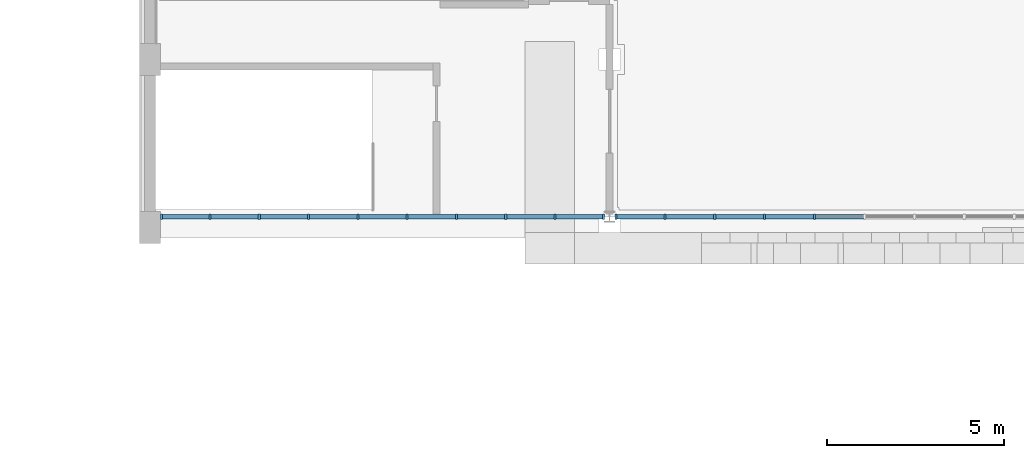
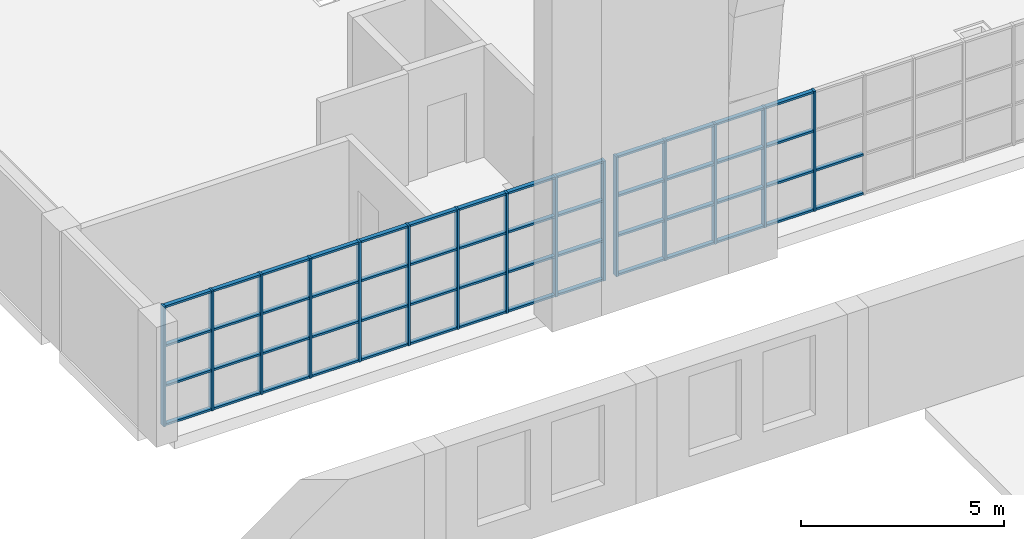
# One storey, part 12 of 82: 69 members, 2 elements without a shape of their own.
"""IFC4 building model written with IfcOpenShell, lengths in metres."""

from ifc_helpers import new_model, si_unit, direction, frame, origin, origin_2d, place, context, subcontext, project, spatial, rectangle, extrude, material, material_profile, profile_set, type_object, element, aggregate, save


model = new_model("IFC4")

# Units and contexts
model_context = context("Model", 3, precision=1e-05, world=origin(), true_north=direction((0.0, 1.0)))
body_context = subcontext(model_context, "Body", "Model", "MODEL_VIEW")
ifc_project = project(units=[si_unit("LENGTHUNIT", "METRE"), si_unit("AREAUNIT", "SQUARE_METRE"), si_unit("VOLUMEUNIT", "CUBIC_METRE"), si_unit("PLANEANGLEUNIT", "RADIAN"), si_unit("MASSUNIT", "GRAM", prefix="KILO")], contexts=[model_context])

# Site, building, storey
site_placement = place(None, origin())
site = spatial("IfcSite", under=ifc_project, at=site_placement, CompositionType="ELEMENT")
building_placement = place(site_placement, origin())
building = spatial("IfcBuilding", under=site, at=building_placement, Name="Elbe Cascade School", CompositionType="ELEMENT")
storey_placement = place(building_placement, frame((0.0, 0.0, 4.5)))
storey = spatial("IfcBuildingStorey", under=building, at=storey_placement, Name="L01", CompositionType="ELEMENT", Elevation=4.5)

# Curtain wall, members
ifc_material_1 = material(Name="Glass - double glazed low-E", Category="glass")
curtain_wall_type = type_object("IfcCurtainWallType", Name="Hall gable curtain wall", PredefinedType="NOTDEFINED", material=ifc_material_1)
curtain_wall_1_placement = place(storey_placement, origin())
curtain_wall_1 = element("IfcCurtainWall", 1, at=curtain_wall_1_placement, inside=storey, type_object=curtain_wall_type, Name="Gable curtain wall S1", PredefinedType="NOTDEFINED")
ifc_material_2 = material(Name="Aluminium - bronze anodised", Category="aluminium")
ifc_material_profile_1 = material_profile(ifc_material_2, rectangle(XDim=0.159912109375, YDim=0.06005859375, at=origin_2d()), Name="Alu 60x160")
ifc_profile_set_1 = profile_set([ifc_material_profile_1], Name="Aluminium - bronze anodised")
member_type_1 = type_object("IfcMemberType", Name="Hall gable mullion 60x160", PredefinedType="MULLION", material=ifc_profile_set_1)
member_1_placement = place(storey_placement, frame((8.330078125, 41.300048828125, 0.0), z_axis=(0.0, 0.0, 1.0), x_axis=(0.0, 1.0, 0.0)))
member_1 = element("IfcMember", 2, at=member_1_placement, type_object=member_type_1, Name="CW6 mullion 1", PredefinedType="MULLION", context=body_context, shape_type="SweptSolid", body=[
    extrude(rectangle(XDim=0.159912109375, YDim=0.06005859375, at=origin_2d()), origin(), (0.0, 0.0, 1.0), 3.60009765625),
])
member_2_placement = place(storey_placement, frame((9.6943359375, 41.300048828125, 0.0), z_axis=(0.0, 0.0, 1.0), x_axis=(0.0, 1.0, 0.0)))
member_2 = element("IfcMember", 3, at=member_2_placement, type_object=member_type_1, Name="CW6 mullion 2", PredefinedType="MULLION", context=body_context, shape_type="SweptSolid", body=[
    extrude(rectangle(XDim=0.159912109375, YDim=0.06005859375, at=origin_2d()), origin(), (0.0, 0.0, 1.0), 3.60009765625),
])
member_3_placement = place(storey_placement, frame((11.0888671875, 41.300048828125, 0.0), z_axis=(0.0, 0.0, 1.0), x_axis=(0.0, 1.0, 0.0)))
member_3 = element("IfcMember", 4, at=member_3_placement, type_object=member_type_1, Name="CW6 mullion 3", PredefinedType="MULLION", context=body_context, shape_type="SweptSolid", body=[
    extrude(rectangle(XDim=0.159912109375, YDim=0.06005859375, at=origin_2d()), origin(), (0.0, 0.0, 1.0), 3.60009765625),
])
member_4_placement = place(storey_placement, frame((12.4833984375, 41.300048828125, 0.0), z_axis=(0.0, 0.0, 1.0), x_axis=(0.0, 1.0, 0.0)))
member_4 = element("IfcMember", 5, at=member_4_placement, type_object=member_type_1, Name="CW6 mullion 4", PredefinedType="MULLION", context=body_context, shape_type="SweptSolid", body=[
    extrude(rectangle(XDim=0.159912109375, YDim=0.06005859375, at=origin_2d()), origin(), (0.0, 0.0, 1.0), 3.60009765625),
])
member_5_placement = place(storey_placement, frame((13.877685546875, 41.300048828125, 0.0), z_axis=(0.0, 0.0, 1.0), x_axis=(0.0, 1.0, 0.0)))
member_5 = element("IfcMember", 6, at=member_5_placement, type_object=member_type_1, Name="CW6 mullion 5", PredefinedType="MULLION", context=body_context, shape_type="SweptSolid", body=[
    extrude(rectangle(XDim=0.159912109375, YDim=0.06005859375, at=origin_2d()), origin(), (0.0, 0.0, 1.0), 3.60009765625),
])
member_6_placement = place(storey_placement, frame((15.272216796875, 41.300048828125, 0.0), z_axis=(0.0, 0.0, 1.0), x_axis=(0.0, 1.0, 0.0)))
member_6 = element("IfcMember", 7, at=member_6_placement, type_object=member_type_1, Name="CW6 mullion 6", PredefinedType="MULLION", context=body_context, shape_type="SweptSolid", body=[
    extrude(rectangle(XDim=0.159912109375, YDim=0.06005859375, at=origin_2d()), origin(), (0.0, 0.0, 1.0), 3.60009765625),
])
member_7_placement = place(storey_placement, frame((16.666748046875, 41.300048828125, 0.0), z_axis=(0.0, 0.0, 1.0), x_axis=(0.0, 1.0, 0.0)))
member_7 = element("IfcMember", 8, at=member_7_placement, type_object=member_type_1, Name="CW6 mullion 7", PredefinedType="MULLION", context=body_context, shape_type="SweptSolid", body=[
    extrude(rectangle(XDim=0.159912109375, YDim=0.06005859375, at=origin_2d()), origin(), (0.0, 0.0, 1.0), 3.60009765625),
])
member_8_placement = place(storey_placement, frame((18.06103515625, 41.300048828125, 0.0), z_axis=(0.0, 0.0, 1.0), x_axis=(0.0, 1.0, 0.0)))
member_8 = element("IfcMember", 9, at=member_8_placement, type_object=member_type_1, Name="CW6 mullion 8", PredefinedType="MULLION", context=body_context, shape_type="SweptSolid", body=[
    extrude(rectangle(XDim=0.159912109375, YDim=0.06005859375, at=origin_2d()), origin(), (0.0, 0.0, 1.0), 3.60009765625),
])
member_9_placement = place(storey_placement, frame((19.45556640625, 41.300048828125, 0.0), z_axis=(0.0, 0.0, 1.0), x_axis=(0.0, 1.0, 0.0)))
member_9 = element("IfcMember", 10, at=member_9_placement, type_object=member_type_1, Name="CW6 mullion 9", PredefinedType="MULLION", context=body_context, shape_type="SweptSolid", body=[
    extrude(rectangle(XDim=0.159912109375, YDim=0.06005859375, at=origin_2d()), origin(), (0.0, 0.0, 1.0), 3.60009765625),
])
member_10_placement = place(storey_placement, frame((20.820068359375, 41.300048828125, 0.0), z_axis=(0.0, 0.0, 1.0), x_axis=(0.0, 1.0, 0.0)))
member_10 = element("IfcMember", 11, at=member_10_placement, type_object=member_type_1, Name="CW6 mullion 10", PredefinedType="MULLION", context=body_context, shape_type="SweptSolid", body=[
    extrude(rectangle(XDim=0.159912109375, YDim=0.06005859375, at=origin_2d()), origin(), (0.0, 0.0, 1.0), 3.60009765625),
])

curtain_wall_2_placement = place(storey_placement, origin())
curtain_wall_2 = element("IfcCurtainWall", 12, at=curtain_wall_2_placement, inside=storey, type_object=curtain_wall_type, Name="Gable curtain wall S2", PredefinedType="NOTDEFINED")
member_11_placement = place(storey_placement, frame((21.179931640625, 41.300048828125, 0.0), z_axis=(0.0, 0.0, 1.0), x_axis=(0.0, 1.0, 0.0)))
member_11 = element("IfcMember", 13, at=member_11_placement, type_object=member_type_1, Name="CW6 mullion 1", PredefinedType="MULLION", context=body_context, shape_type="SweptSolid", body=[
    extrude(rectangle(XDim=0.159912109375, YDim=0.06005859375, at=origin_2d()), origin(), (0.0, 0.0, 1.0), 3.60009765625),
])
member_12_placement = place(storey_placement, frame((22.56103515625, 41.300048828125, 0.0), z_axis=(0.0, 0.0, 1.0), x_axis=(0.0, 1.0, 0.0)))
member_12 = element("IfcMember", 14, at=member_12_placement, type_object=member_type_1, Name="CW6 mullion 2", PredefinedType="MULLION", context=body_context, shape_type="SweptSolid", body=[
    extrude(rectangle(XDim=0.159912109375, YDim=0.06005859375, at=origin_2d()), origin(), (0.0, 0.0, 1.0), 3.60009765625),
])
member_13_placement = place(storey_placement, frame((23.97216796875, 41.300048828125, 0.0), z_axis=(0.0, 0.0, 1.0), x_axis=(0.0, 1.0, 0.0)))
member_13 = element("IfcMember", 15, at=member_13_placement, type_object=member_type_1, Name="CW6 mullion 3", PredefinedType="MULLION", context=body_context, shape_type="SweptSolid", body=[
    extrude(rectangle(XDim=0.159912109375, YDim=0.06005859375, at=origin_2d()), origin(), (0.0, 0.0, 1.0), 3.60009765625),
])
member_14_placement = place(storey_placement, frame((25.38330078125, 41.300048828125, 0.0), z_axis=(0.0, 0.0, 1.0), x_axis=(0.0, 1.0, 0.0)))
member_14 = element("IfcMember", 16, at=member_14_placement, type_object=member_type_1, Name="CW6 mullion 4", PredefinedType="MULLION", context=body_context, shape_type="SweptSolid", body=[
    extrude(rectangle(XDim=0.159912109375, YDim=0.06005859375, at=origin_2d()), origin(), (0.0, 0.0, 1.0), 3.60009765625),
])
member_15_placement = place(storey_placement, frame((26.79443359375, 41.300048828125, 0.0), z_axis=(0.0, 0.0, 1.0), x_axis=(0.0, 1.0, 0.0)))
member_15 = element("IfcMember", 17, at=member_15_placement, type_object=member_type_1, Name="CW6 mullion 5", PredefinedType="MULLION", context=body_context, shape_type="SweptSolid", body=[
    extrude(rectangle(XDim=0.159912109375, YDim=0.06005859375, at=origin_2d()), origin(), (0.0, 0.0, 1.0), 3.60009765625),
])

# Member
ifc_material_3 = material(Name="Aluminium - bronze anodised", Category="aluminium")
ifc_material_profile_2 = material_profile(ifc_material_3, rectangle(XDim=0.1201171875, YDim=0.06005859375, at=origin_2d()), Name="Alu 60x120")
ifc_profile_set_2 = profile_set([ifc_material_profile_2], Name="Aluminium - bronze anodised")
member_type_2 = type_object("IfcMemberType", Name="Hall gable transom 60x120", PredefinedType="USERDEFINED", material=ifc_profile_set_2)
member_16_placement = place(storey_placement, frame((8.360107421875, 41.300048828125, 0.030029296875), z_axis=(1.0, 0.0, 0.0), x_axis=(0.0, 1.0, 0.0)))
member_16 = element("IfcMember", 18, at=member_16_placement, type_object=member_type_2, Name="CW6 transom 1.1", ObjectType="TRANSOM", PredefinedType="USERDEFINED", context=body_context, shape_type="SweptSolid", body=[
    extrude(rectangle(XDim=0.1201171875, YDim=0.06005859375, at=origin_2d()), origin(), (0.0, 0.0, 1.0), 1.304443359375),
])

member_17_placement = place(storey_placement, frame((8.360107421875, 41.300048828125, 1.199951171875), z_axis=(1.0, 0.0, 0.0), x_axis=(0.0, 1.0, 0.0)))
member_17 = element("IfcMember", 19, at=member_17_placement, type_object=member_type_2, Name="CW6 transom 1.2", ObjectType="TRANSOM", PredefinedType="USERDEFINED", context=body_context, shape_type="SweptSolid", body=[
    extrude(rectangle(XDim=0.1201171875, YDim=0.06005859375, at=origin_2d()), origin(), (0.0, 0.0, 1.0), 1.304443359375),
])

member_18_placement = place(storey_placement, frame((8.360107421875, 41.300048828125, 2.39990234375), z_axis=(1.0, 0.0, 0.0), x_axis=(0.0, 1.0, 0.0)))
member_18 = element("IfcMember", 20, at=member_18_placement, type_object=member_type_2, Name="CW6 transom 1.3", ObjectType="TRANSOM", PredefinedType="USERDEFINED", context=body_context, shape_type="SweptSolid", body=[
    extrude(rectangle(XDim=0.1201171875, YDim=0.06005859375, at=origin_2d()), origin(), (0.0, 0.0, 1.0), 1.304443359375),
])

member_19_placement = place(storey_placement, frame((8.360107421875, 41.300048828125, 3.570068359375), z_axis=(1.0, 0.0, 0.0), x_axis=(0.0, 1.0, 0.0)))
member_19 = element("IfcMember", 21, at=member_19_placement, type_object=member_type_2, Name="CW6 transom 1.4", ObjectType="TRANSOM", PredefinedType="USERDEFINED", context=body_context, shape_type="SweptSolid", body=[
    extrude(rectangle(XDim=0.1201171875, YDim=0.06005859375, at=origin_2d()), origin(), (0.0, 0.0, 1.0), 1.304443359375),
])

member_20_placement = place(storey_placement, frame((9.724365234375, 41.300048828125, 0.030029296875), z_axis=(1.0, 0.0, 0.0), x_axis=(0.0, 1.0, 0.0)))
member_20 = element("IfcMember", 22, at=member_20_placement, type_object=member_type_2, Name="CW6 transom 2.1", ObjectType="TRANSOM", PredefinedType="USERDEFINED", context=body_context, shape_type="SweptSolid", body=[
    extrude(rectangle(XDim=0.1201171875, YDim=0.06005859375, at=origin_2d()), origin(), (0.0, 0.0, 1.0), 1.33447265625),
])

member_21_placement = place(storey_placement, frame((9.724365234375, 41.300048828125, 1.199951171875), z_axis=(1.0, 0.0, 0.0), x_axis=(0.0, 1.0, 0.0)))
member_21 = element("IfcMember", 23, at=member_21_placement, type_object=member_type_2, Name="CW6 transom 2.2", ObjectType="TRANSOM", PredefinedType="USERDEFINED", context=body_context, shape_type="SweptSolid", body=[
    extrude(rectangle(XDim=0.1201171875, YDim=0.06005859375, at=origin_2d()), origin(), (0.0, 0.0, 1.0), 1.33447265625),
])

member_22_placement = place(storey_placement, frame((9.724365234375, 41.300048828125, 2.39990234375), z_axis=(1.0, 0.0, 0.0), x_axis=(0.0, 1.0, 0.0)))
member_22 = element("IfcMember", 24, at=member_22_placement, type_object=member_type_2, Name="CW6 transom 2.3", ObjectType="TRANSOM", PredefinedType="USERDEFINED", context=body_context, shape_type="SweptSolid", body=[
    extrude(rectangle(XDim=0.1201171875, YDim=0.06005859375, at=origin_2d()), origin(), (0.0, 0.0, 1.0), 1.33447265625),
])

member_23_placement = place(storey_placement, frame((9.724365234375, 41.300048828125, 3.570068359375), z_axis=(1.0, 0.0, 0.0), x_axis=(0.0, 1.0, 0.0)))
member_23 = element("IfcMember", 25, at=member_23_placement, type_object=member_type_2, Name="CW6 transom 2.4", ObjectType="TRANSOM", PredefinedType="USERDEFINED", context=body_context, shape_type="SweptSolid", body=[
    extrude(rectangle(XDim=0.1201171875, YDim=0.06005859375, at=origin_2d()), origin(), (0.0, 0.0, 1.0), 1.33447265625),
])

member_24_placement = place(storey_placement, frame((11.118896484375, 41.300048828125, 0.030029296875), z_axis=(1.0, 0.0, 0.0), x_axis=(0.0, 1.0, 0.0)))
member_24 = element("IfcMember", 26, at=member_24_placement, type_object=member_type_2, Name="CW6 transom 3.1", ObjectType="TRANSOM", PredefinedType="USERDEFINED", context=body_context, shape_type="SweptSolid", body=[
    extrude(rectangle(XDim=0.1201171875, YDim=0.06005859375, at=origin_2d()), origin(), (0.0, 0.0, 1.0), 1.33447265625),
])

member_25_placement = place(storey_placement, frame((11.118896484375, 41.300048828125, 1.199951171875), z_axis=(1.0, 0.0, 0.0), x_axis=(0.0, 1.0, 0.0)))
member_25 = element("IfcMember", 27, at=member_25_placement, type_object=member_type_2, Name="CW6 transom 3.2", ObjectType="TRANSOM", PredefinedType="USERDEFINED", context=body_context, shape_type="SweptSolid", body=[
    extrude(rectangle(XDim=0.1201171875, YDim=0.06005859375, at=origin_2d()), origin(), (0.0, 0.0, 1.0), 1.33447265625),
])

member_26_placement = place(storey_placement, frame((11.118896484375, 41.300048828125, 2.39990234375), z_axis=(1.0, 0.0, 0.0), x_axis=(0.0, 1.0, 0.0)))
member_26 = element("IfcMember", 28, at=member_26_placement, type_object=member_type_2, Name="CW6 transom 3.3", ObjectType="TRANSOM", PredefinedType="USERDEFINED", context=body_context, shape_type="SweptSolid", body=[
    extrude(rectangle(XDim=0.1201171875, YDim=0.06005859375, at=origin_2d()), origin(), (0.0, 0.0, 1.0), 1.33447265625),
])

member_27_placement = place(storey_placement, frame((11.118896484375, 41.300048828125, 3.570068359375), z_axis=(1.0, 0.0, 0.0), x_axis=(0.0, 1.0, 0.0)))
member_27 = element("IfcMember", 29, at=member_27_placement, type_object=member_type_2, Name="CW6 transom 3.4", ObjectType="TRANSOM", PredefinedType="USERDEFINED", context=body_context, shape_type="SweptSolid", body=[
    extrude(rectangle(XDim=0.1201171875, YDim=0.06005859375, at=origin_2d()), origin(), (0.0, 0.0, 1.0), 1.33447265625),
])

member_28_placement = place(storey_placement, frame((12.513427734375, 41.300048828125, 0.030029296875), z_axis=(1.0, 0.0, 0.0), x_axis=(0.0, 1.0, 0.0)))
member_28 = element("IfcMember", 30, at=member_28_placement, type_object=member_type_2, Name="CW6 transom 4.1", ObjectType="TRANSOM", PredefinedType="USERDEFINED", context=body_context, shape_type="SweptSolid", body=[
    extrude(rectangle(XDim=0.1201171875, YDim=0.06005859375, at=origin_2d()), origin(), (0.0, 0.0, 1.0), 1.334228515625),
])

member_29_placement = place(storey_placement, frame((12.513427734375, 41.300048828125, 1.199951171875), z_axis=(1.0, 0.0, 0.0), x_axis=(0.0, 1.0, 0.0)))
member_29 = element("IfcMember", 31, at=member_29_placement, type_object=member_type_2, Name="CW6 transom 4.2", ObjectType="TRANSOM", PredefinedType="USERDEFINED", context=body_context, shape_type="SweptSolid", body=[
    extrude(rectangle(XDim=0.1201171875, YDim=0.06005859375, at=origin_2d()), origin(), (0.0, 0.0, 1.0), 1.334228515625),
])

member_30_placement = place(storey_placement, frame((12.513427734375, 41.300048828125, 2.39990234375), z_axis=(1.0, 0.0, 0.0), x_axis=(0.0, 1.0, 0.0)))
member_30 = element("IfcMember", 32, at=member_30_placement, type_object=member_type_2, Name="CW6 transom 4.3", ObjectType="TRANSOM", PredefinedType="USERDEFINED", context=body_context, shape_type="SweptSolid", body=[
    extrude(rectangle(XDim=0.1201171875, YDim=0.06005859375, at=origin_2d()), origin(), (0.0, 0.0, 1.0), 1.334228515625),
])

member_31_placement = place(storey_placement, frame((12.513427734375, 41.300048828125, 3.570068359375), z_axis=(1.0, 0.0, 0.0), x_axis=(0.0, 1.0, 0.0)))
member_31 = element("IfcMember", 33, at=member_31_placement, type_object=member_type_2, Name="CW6 transom 4.4", ObjectType="TRANSOM", PredefinedType="USERDEFINED", context=body_context, shape_type="SweptSolid", body=[
    extrude(rectangle(XDim=0.1201171875, YDim=0.06005859375, at=origin_2d()), origin(), (0.0, 0.0, 1.0), 1.334228515625),
])

member_32_placement = place(storey_placement, frame((13.90771484375, 41.300048828125, 0.030029296875), z_axis=(1.0, 0.0, 0.0), x_axis=(0.0, 1.0, 0.0)))
member_32 = element("IfcMember", 34, at=member_32_placement, type_object=member_type_2, Name="CW6 transom 5.1", ObjectType="TRANSOM", PredefinedType="USERDEFINED", context=body_context, shape_type="SweptSolid", body=[
    extrude(rectangle(XDim=0.1201171875, YDim=0.06005859375, at=origin_2d()), origin(), (0.0, 0.0, 1.0), 1.33447265625),
])

member_33_placement = place(storey_placement, frame((13.90771484375, 41.300048828125, 1.199951171875), z_axis=(1.0, 0.0, 0.0), x_axis=(0.0, 1.0, 0.0)))
member_33 = element("IfcMember", 35, at=member_33_placement, type_object=member_type_2, Name="CW6 transom 5.2", ObjectType="TRANSOM", PredefinedType="USERDEFINED", context=body_context, shape_type="SweptSolid", body=[
    extrude(rectangle(XDim=0.1201171875, YDim=0.06005859375, at=origin_2d()), origin(), (0.0, 0.0, 1.0), 1.33447265625),
])

member_34_placement = place(storey_placement, frame((13.90771484375, 41.300048828125, 2.39990234375), z_axis=(1.0, 0.0, 0.0), x_axis=(0.0, 1.0, 0.0)))
member_34 = element("IfcMember", 36, at=member_34_placement, type_object=member_type_2, Name="CW6 transom 5.3", ObjectType="TRANSOM", PredefinedType="USERDEFINED", context=body_context, shape_type="SweptSolid", body=[
    extrude(rectangle(XDim=0.1201171875, YDim=0.06005859375, at=origin_2d()), origin(), (0.0, 0.0, 1.0), 1.33447265625),
])

member_35_placement = place(storey_placement, frame((13.90771484375, 41.300048828125, 3.570068359375), z_axis=(1.0, 0.0, 0.0), x_axis=(0.0, 1.0, 0.0)))
member_35 = element("IfcMember", 37, at=member_35_placement, type_object=member_type_2, Name="CW6 transom 5.4", ObjectType="TRANSOM", PredefinedType="USERDEFINED", context=body_context, shape_type="SweptSolid", body=[
    extrude(rectangle(XDim=0.1201171875, YDim=0.06005859375, at=origin_2d()), origin(), (0.0, 0.0, 1.0), 1.33447265625),
])

member_36_placement = place(storey_placement, frame((15.30224609375, 41.300048828125, 0.030029296875), z_axis=(1.0, 0.0, 0.0), x_axis=(0.0, 1.0, 0.0)))
member_36 = element("IfcMember", 38, at=member_36_placement, type_object=member_type_2, Name="CW6 transom 6.1", ObjectType="TRANSOM", PredefinedType="USERDEFINED", context=body_context, shape_type="SweptSolid", body=[
    extrude(rectangle(XDim=0.1201171875, YDim=0.06005859375, at=origin_2d()), origin(), (0.0, 0.0, 1.0), 1.33447265625),
])

member_37_placement = place(storey_placement, frame((15.30224609375, 41.300048828125, 1.199951171875), z_axis=(1.0, 0.0, 0.0), x_axis=(0.0, 1.0, 0.0)))
member_37 = element("IfcMember", 39, at=member_37_placement, type_object=member_type_2, Name="CW6 transom 6.2", ObjectType="TRANSOM", PredefinedType="USERDEFINED", context=body_context, shape_type="SweptSolid", body=[
    extrude(rectangle(XDim=0.1201171875, YDim=0.06005859375, at=origin_2d()), origin(), (0.0, 0.0, 1.0), 1.33447265625),
])

member_38_placement = place(storey_placement, frame((15.30224609375, 41.300048828125, 2.39990234375), z_axis=(1.0, 0.0, 0.0), x_axis=(0.0, 1.0, 0.0)))
member_38 = element("IfcMember", 40, at=member_38_placement, type_object=member_type_2, Name="CW6 transom 6.3", ObjectType="TRANSOM", PredefinedType="USERDEFINED", context=body_context, shape_type="SweptSolid", body=[
    extrude(rectangle(XDim=0.1201171875, YDim=0.06005859375, at=origin_2d()), origin(), (0.0, 0.0, 1.0), 1.33447265625),
])

member_39_placement = place(storey_placement, frame((15.30224609375, 41.300048828125, 3.570068359375), z_axis=(1.0, 0.0, 0.0), x_axis=(0.0, 1.0, 0.0)))
member_39 = element("IfcMember", 41, at=member_39_placement, type_object=member_type_2, Name="CW6 transom 6.4", ObjectType="TRANSOM", PredefinedType="USERDEFINED", context=body_context, shape_type="SweptSolid", body=[
    extrude(rectangle(XDim=0.1201171875, YDim=0.06005859375, at=origin_2d()), origin(), (0.0, 0.0, 1.0), 1.33447265625),
])

member_40_placement = place(storey_placement, frame((16.69677734375, 41.300048828125, 0.030029296875), z_axis=(1.0, 0.0, 0.0), x_axis=(0.0, 1.0, 0.0)))
member_40 = element("IfcMember", 42, at=member_40_placement, type_object=member_type_2, Name="CW6 transom 7.1", ObjectType="TRANSOM", PredefinedType="USERDEFINED", context=body_context, shape_type="SweptSolid", body=[
    extrude(rectangle(XDim=0.1201171875, YDim=0.06005859375, at=origin_2d()), origin(), (0.0, 0.0, 1.0), 1.334228515625),
])

member_41_placement = place(storey_placement, frame((16.69677734375, 41.300048828125, 1.199951171875), z_axis=(1.0, 0.0, 0.0), x_axis=(0.0, 1.0, 0.0)))
member_41 = element("IfcMember", 43, at=member_41_placement, type_object=member_type_2, Name="CW6 transom 7.2", ObjectType="TRANSOM", PredefinedType="USERDEFINED", context=body_context, shape_type="SweptSolid", body=[
    extrude(rectangle(XDim=0.1201171875, YDim=0.06005859375, at=origin_2d()), origin(), (0.0, 0.0, 1.0), 1.334228515625),
])

member_42_placement = place(storey_placement, frame((16.69677734375, 41.300048828125, 2.39990234375), z_axis=(1.0, 0.0, 0.0), x_axis=(0.0, 1.0, 0.0)))
member_42 = element("IfcMember", 44, at=member_42_placement, type_object=member_type_2, Name="CW6 transom 7.3", ObjectType="TRANSOM", PredefinedType="USERDEFINED", context=body_context, shape_type="SweptSolid", body=[
    extrude(rectangle(XDim=0.1201171875, YDim=0.06005859375, at=origin_2d()), origin(), (0.0, 0.0, 1.0), 1.334228515625),
])

member_43_placement = place(storey_placement, frame((16.69677734375, 41.300048828125, 3.570068359375), z_axis=(1.0, 0.0, 0.0), x_axis=(0.0, 1.0, 0.0)))
member_43 = element("IfcMember", 45, at=member_43_placement, type_object=member_type_2, Name="CW6 transom 7.4", ObjectType="TRANSOM", PredefinedType="USERDEFINED", context=body_context, shape_type="SweptSolid", body=[
    extrude(rectangle(XDim=0.1201171875, YDim=0.06005859375, at=origin_2d()), origin(), (0.0, 0.0, 1.0), 1.334228515625),
])

member_44_placement = place(storey_placement, frame((18.091064453125, 41.300048828125, 0.030029296875), z_axis=(1.0, 0.0, 0.0), x_axis=(0.0, 1.0, 0.0)))
member_44 = element("IfcMember", 46, at=member_44_placement, type_object=member_type_2, Name="CW6 transom 8.1", ObjectType="TRANSOM", PredefinedType="USERDEFINED", context=body_context, shape_type="SweptSolid", body=[
    extrude(rectangle(XDim=0.1201171875, YDim=0.06005859375, at=origin_2d()), origin(), (0.0, 0.0, 1.0), 1.33447265625),
])

member_45_placement = place(storey_placement, frame((18.091064453125, 41.300048828125, 1.199951171875), z_axis=(1.0, 0.0, 0.0), x_axis=(0.0, 1.0, 0.0)))
member_45 = element("IfcMember", 47, at=member_45_placement, type_object=member_type_2, Name="CW6 transom 8.2", ObjectType="TRANSOM", PredefinedType="USERDEFINED", context=body_context, shape_type="SweptSolid", body=[
    extrude(rectangle(XDim=0.1201171875, YDim=0.06005859375, at=origin_2d()), origin(), (0.0, 0.0, 1.0), 1.33447265625),
])

member_46_placement = place(storey_placement, frame((18.091064453125, 41.300048828125, 2.39990234375), z_axis=(1.0, 0.0, 0.0), x_axis=(0.0, 1.0, 0.0)))
member_46 = element("IfcMember", 48, at=member_46_placement, type_object=member_type_2, Name="CW6 transom 8.3", ObjectType="TRANSOM", PredefinedType="USERDEFINED", context=body_context, shape_type="SweptSolid", body=[
    extrude(rectangle(XDim=0.1201171875, YDim=0.06005859375, at=origin_2d()), origin(), (0.0, 0.0, 1.0), 1.33447265625),
])

member_47_placement = place(storey_placement, frame((18.091064453125, 41.300048828125, 3.570068359375), z_axis=(1.0, 0.0, 0.0), x_axis=(0.0, 1.0, 0.0)))
member_47 = element("IfcMember", 49, at=member_47_placement, type_object=member_type_2, Name="CW6 transom 8.4", ObjectType="TRANSOM", PredefinedType="USERDEFINED", context=body_context, shape_type="SweptSolid", body=[
    extrude(rectangle(XDim=0.1201171875, YDim=0.06005859375, at=origin_2d()), origin(), (0.0, 0.0, 1.0), 1.33447265625),
])

member_48_placement = place(storey_placement, frame((19.485595703125, 41.300048828125, 0.030029296875), z_axis=(1.0, 0.0, 0.0), x_axis=(0.0, 1.0, 0.0)))
member_48 = element("IfcMember", 50, at=member_48_placement, type_object=member_type_2, Name="CW6 transom 9.1", ObjectType="TRANSOM", PredefinedType="USERDEFINED", context=body_context, shape_type="SweptSolid", body=[
    extrude(rectangle(XDim=0.1201171875, YDim=0.06005859375, at=origin_2d()), origin(), (0.0, 0.0, 1.0), 1.304443359375),
])

member_49_placement = place(storey_placement, frame((19.485595703125, 41.300048828125, 1.199951171875), z_axis=(1.0, 0.0, 0.0), x_axis=(0.0, 1.0, 0.0)))
member_49 = element("IfcMember", 51, at=member_49_placement, type_object=member_type_2, Name="CW6 transom 9.2", ObjectType="TRANSOM", PredefinedType="USERDEFINED", context=body_context, shape_type="SweptSolid", body=[
    extrude(rectangle(XDim=0.1201171875, YDim=0.06005859375, at=origin_2d()), origin(), (0.0, 0.0, 1.0), 1.304443359375),
])

member_50_placement = place(storey_placement, frame((19.485595703125, 41.300048828125, 2.39990234375), z_axis=(1.0, 0.0, 0.0), x_axis=(0.0, 1.0, 0.0)))
member_50 = element("IfcMember", 52, at=member_50_placement, type_object=member_type_2, Name="CW6 transom 9.3", ObjectType="TRANSOM", PredefinedType="USERDEFINED", context=body_context, shape_type="SweptSolid", body=[
    extrude(rectangle(XDim=0.1201171875, YDim=0.06005859375, at=origin_2d()), origin(), (0.0, 0.0, 1.0), 1.304443359375),
])

member_51_placement = place(storey_placement, frame((19.485595703125, 41.300048828125, 3.570068359375), z_axis=(1.0, 0.0, 0.0), x_axis=(0.0, 1.0, 0.0)))
member_51 = element("IfcMember", 53, at=member_51_placement, type_object=member_type_2, Name="CW6 transom 9.4", ObjectType="TRANSOM", PredefinedType="USERDEFINED", context=body_context, shape_type="SweptSolid", body=[
    extrude(rectangle(XDim=0.1201171875, YDim=0.06005859375, at=origin_2d()), origin(), (0.0, 0.0, 1.0), 1.304443359375),
])

aggregate(curtain_wall_1, [member_1, member_2, member_3, member_4, member_5, member_6, member_7, member_8, member_9, member_10, member_16, member_17, member_18, member_19, member_20, member_21, member_22, member_23, member_24, member_25, member_26, member_27, member_28, member_29, member_30, member_31, member_32, member_33, member_34, member_35, member_36, member_37, member_38, member_39, member_40, member_41, member_42, member_43, member_44, member_45, member_46, member_47, member_48, member_49, member_50, member_51])

member_52_placement = place(storey_placement, frame((21.2099609375, 41.300048828125, 0.030029296875), z_axis=(1.0, 0.0, 0.0), x_axis=(0.0, 1.0, 0.0)))
member_52 = element("IfcMember", 54, at=member_52_placement, type_object=member_type_2, Name="CW6 transom 1.1", ObjectType="TRANSOM", PredefinedType="USERDEFINED", context=body_context, shape_type="SweptSolid", body=[
    extrude(rectangle(XDim=0.1201171875, YDim=0.06005859375, at=origin_2d()), origin(), (0.0, 0.0, 1.0), 1.321044921875),
])

member_53_placement = place(storey_placement, frame((21.2099609375, 41.300048828125, 1.199951171875), z_axis=(1.0, 0.0, 0.0), x_axis=(0.0, 1.0, 0.0)))
member_53 = element("IfcMember", 55, at=member_53_placement, type_object=member_type_2, Name="CW6 transom 1.2", ObjectType="TRANSOM", PredefinedType="USERDEFINED", context=body_context, shape_type="SweptSolid", body=[
    extrude(rectangle(XDim=0.1201171875, YDim=0.06005859375, at=origin_2d()), origin(), (0.0, 0.0, 1.0), 1.321044921875),
])

member_54_placement = place(storey_placement, frame((21.2099609375, 41.300048828125, 2.39990234375), z_axis=(1.0, 0.0, 0.0), x_axis=(0.0, 1.0, 0.0)))
member_54 = element("IfcMember", 56, at=member_54_placement, type_object=member_type_2, Name="CW6 transom 1.3", ObjectType="TRANSOM", PredefinedType="USERDEFINED", context=body_context, shape_type="SweptSolid", body=[
    extrude(rectangle(XDim=0.1201171875, YDim=0.06005859375, at=origin_2d()), origin(), (0.0, 0.0, 1.0), 1.321044921875),
])

member_55_placement = place(storey_placement, frame((21.2099609375, 41.300048828125, 3.570068359375), z_axis=(1.0, 0.0, 0.0), x_axis=(0.0, 1.0, 0.0)))
member_55 = element("IfcMember", 57, at=member_55_placement, type_object=member_type_2, Name="CW6 transom 1.4", ObjectType="TRANSOM", PredefinedType="USERDEFINED", context=body_context, shape_type="SweptSolid", body=[
    extrude(rectangle(XDim=0.1201171875, YDim=0.06005859375, at=origin_2d()), origin(), (0.0, 0.0, 1.0), 1.321044921875),
])

member_56_placement = place(storey_placement, frame((22.591064453125, 41.300048828125, 0.030029296875), z_axis=(1.0, 0.0, 0.0), x_axis=(0.0, 1.0, 0.0)))
member_56 = element("IfcMember", 58, at=member_56_placement, type_object=member_type_2, Name="CW6 transom 2.1", ObjectType="TRANSOM", PredefinedType="USERDEFINED", context=body_context, shape_type="SweptSolid", body=[
    extrude(rectangle(XDim=0.1201171875, YDim=0.06005859375, at=origin_2d()), origin(), (0.0, 0.0, 1.0), 1.35107421875),
])

member_57_placement = place(storey_placement, frame((22.591064453125, 41.300048828125, 1.199951171875), z_axis=(1.0, 0.0, 0.0), x_axis=(0.0, 1.0, 0.0)))
member_57 = element("IfcMember", 59, at=member_57_placement, type_object=member_type_2, Name="CW6 transom 2.2", ObjectType="TRANSOM", PredefinedType="USERDEFINED", context=body_context, shape_type="SweptSolid", body=[
    extrude(rectangle(XDim=0.1201171875, YDim=0.06005859375, at=origin_2d()), origin(), (0.0, 0.0, 1.0), 1.35107421875),
])

member_58_placement = place(storey_placement, frame((22.591064453125, 41.300048828125, 2.39990234375), z_axis=(1.0, 0.0, 0.0), x_axis=(0.0, 1.0, 0.0)))
member_58 = element("IfcMember", 60, at=member_58_placement, type_object=member_type_2, Name="CW6 transom 2.3", ObjectType="TRANSOM", PredefinedType="USERDEFINED", context=body_context, shape_type="SweptSolid", body=[
    extrude(rectangle(XDim=0.1201171875, YDim=0.06005859375, at=origin_2d()), origin(), (0.0, 0.0, 1.0), 1.35107421875),
])

member_59_placement = place(storey_placement, frame((22.591064453125, 41.300048828125, 3.570068359375), z_axis=(1.0, 0.0, 0.0), x_axis=(0.0, 1.0, 0.0)))
member_59 = element("IfcMember", 61, at=member_59_placement, type_object=member_type_2, Name="CW6 transom 2.4", ObjectType="TRANSOM", PredefinedType="USERDEFINED", context=body_context, shape_type="SweptSolid", body=[
    extrude(rectangle(XDim=0.1201171875, YDim=0.06005859375, at=origin_2d()), origin(), (0.0, 0.0, 1.0), 1.35107421875),
])

member_60_placement = place(storey_placement, frame((24.002197265625, 41.300048828125, 0.030029296875), z_axis=(1.0, 0.0, 0.0), x_axis=(0.0, 1.0, 0.0)))
member_60 = element("IfcMember", 62, at=member_60_placement, type_object=member_type_2, Name="CW6 transom 3.1", ObjectType="TRANSOM", PredefinedType="USERDEFINED", context=body_context, shape_type="SweptSolid", body=[
    extrude(rectangle(XDim=0.1201171875, YDim=0.06005859375, at=origin_2d()), origin(), (0.0, 0.0, 1.0), 1.35107421875),
])

member_61_placement = place(storey_placement, frame((24.002197265625, 41.300048828125, 1.199951171875), z_axis=(1.0, 0.0, 0.0), x_axis=(0.0, 1.0, 0.0)))
member_61 = element("IfcMember", 63, at=member_61_placement, type_object=member_type_2, Name="CW6 transom 3.2", ObjectType="TRANSOM", PredefinedType="USERDEFINED", context=body_context, shape_type="SweptSolid", body=[
    extrude(rectangle(XDim=0.1201171875, YDim=0.06005859375, at=origin_2d()), origin(), (0.0, 0.0, 1.0), 1.35107421875),
])

member_62_placement = place(storey_placement, frame((24.002197265625, 41.300048828125, 2.39990234375), z_axis=(1.0, 0.0, 0.0), x_axis=(0.0, 1.0, 0.0)))
member_62 = element("IfcMember", 64, at=member_62_placement, type_object=member_type_2, Name="CW6 transom 3.3", ObjectType="TRANSOM", PredefinedType="USERDEFINED", context=body_context, shape_type="SweptSolid", body=[
    extrude(rectangle(XDim=0.1201171875, YDim=0.06005859375, at=origin_2d()), origin(), (0.0, 0.0, 1.0), 1.35107421875),
])

member_63_placement = place(storey_placement, frame((24.002197265625, 41.300048828125, 3.570068359375), z_axis=(1.0, 0.0, 0.0), x_axis=(0.0, 1.0, 0.0)))
member_63 = element("IfcMember", 65, at=member_63_placement, type_object=member_type_2, Name="CW6 transom 3.4", ObjectType="TRANSOM", PredefinedType="USERDEFINED", context=body_context, shape_type="SweptSolid", body=[
    extrude(rectangle(XDim=0.1201171875, YDim=0.06005859375, at=origin_2d()), origin(), (0.0, 0.0, 1.0), 1.35107421875),
])

member_64_placement = place(storey_placement, frame((25.413330078125, 41.300048828125, 0.030029296875), z_axis=(1.0, 0.0, 0.0), x_axis=(0.0, 1.0, 0.0)))
member_64 = element("IfcMember", 66, at=member_64_placement, type_object=member_type_2, Name="CW6 transom 4.1", ObjectType="TRANSOM", PredefinedType="USERDEFINED", context=body_context, shape_type="SweptSolid", body=[
    extrude(rectangle(XDim=0.1201171875, YDim=0.06005859375, at=origin_2d()), origin(), (0.0, 0.0, 1.0), 1.35107421875),
])

member_65_placement = place(storey_placement, frame((25.413330078125, 41.300048828125, 1.199951171875), z_axis=(1.0, 0.0, 0.0), x_axis=(0.0, 1.0, 0.0)))
member_65 = element("IfcMember", 67, at=member_65_placement, type_object=member_type_2, Name="CW6 transom 4.2", ObjectType="TRANSOM", PredefinedType="USERDEFINED", context=body_context, shape_type="SweptSolid", body=[
    extrude(rectangle(XDim=0.1201171875, YDim=0.06005859375, at=origin_2d()), origin(), (0.0, 0.0, 1.0), 1.35107421875),
])

member_66_placement = place(storey_placement, frame((25.413330078125, 41.300048828125, 2.39990234375), z_axis=(1.0, 0.0, 0.0), x_axis=(0.0, 1.0, 0.0)))
member_66 = element("IfcMember", 68, at=member_66_placement, type_object=member_type_2, Name="CW6 transom 4.3", ObjectType="TRANSOM", PredefinedType="USERDEFINED", context=body_context, shape_type="SweptSolid", body=[
    extrude(rectangle(XDim=0.1201171875, YDim=0.06005859375, at=origin_2d()), origin(), (0.0, 0.0, 1.0), 1.35107421875),
])

member_67_placement = place(storey_placement, frame((25.413330078125, 41.300048828125, 3.570068359375), z_axis=(1.0, 0.0, 0.0), x_axis=(0.0, 1.0, 0.0)))
member_67 = element("IfcMember", 69, at=member_67_placement, type_object=member_type_2, Name="CW6 transom 4.4", ObjectType="TRANSOM", PredefinedType="USERDEFINED", context=body_context, shape_type="SweptSolid", body=[
    extrude(rectangle(XDim=0.1201171875, YDim=0.06005859375, at=origin_2d()), origin(), (0.0, 0.0, 1.0), 1.35107421875),
])

member_68_placement = place(storey_placement, frame((26.824462890625, 41.300048828125, 0.030029296875), z_axis=(1.0, 0.0, 0.0), x_axis=(0.0, 1.0, 0.0)))
member_68 = element("IfcMember", 70, at=member_68_placement, type_object=member_type_2, Name="CW6 transom 5.1", ObjectType="TRANSOM", PredefinedType="USERDEFINED", context=body_context, shape_type="SweptSolid", body=[
    extrude(rectangle(XDim=0.1201171875, YDim=0.06005859375, at=origin_2d()), origin(), (0.0, 0.0, 1.0), 1.35107421875),
])

member_69_placement = place(storey_placement, frame((26.824462890625, 41.300048828125, 1.199951171875), z_axis=(1.0, 0.0, 0.0), x_axis=(0.0, 1.0, 0.0)))
member_69 = element("IfcMember", 71, at=member_69_placement, type_object=member_type_2, Name="CW6 transom 5.2", ObjectType="TRANSOM", PredefinedType="USERDEFINED", context=body_context, shape_type="SweptSolid", body=[
    extrude(rectangle(XDim=0.1201171875, YDim=0.06005859375, at=origin_2d()), origin(), (0.0, 0.0, 1.0), 1.35107421875),
])

aggregate(curtain_wall_2, [member_11, member_12, member_13, member_14, member_15, member_52, member_53, member_54, member_55, member_56, member_57, member_58, member_59, member_60, member_61, member_62, member_63, member_64, member_65, member_66, member_67, member_68, member_69])

save(model, "model.ifc")
